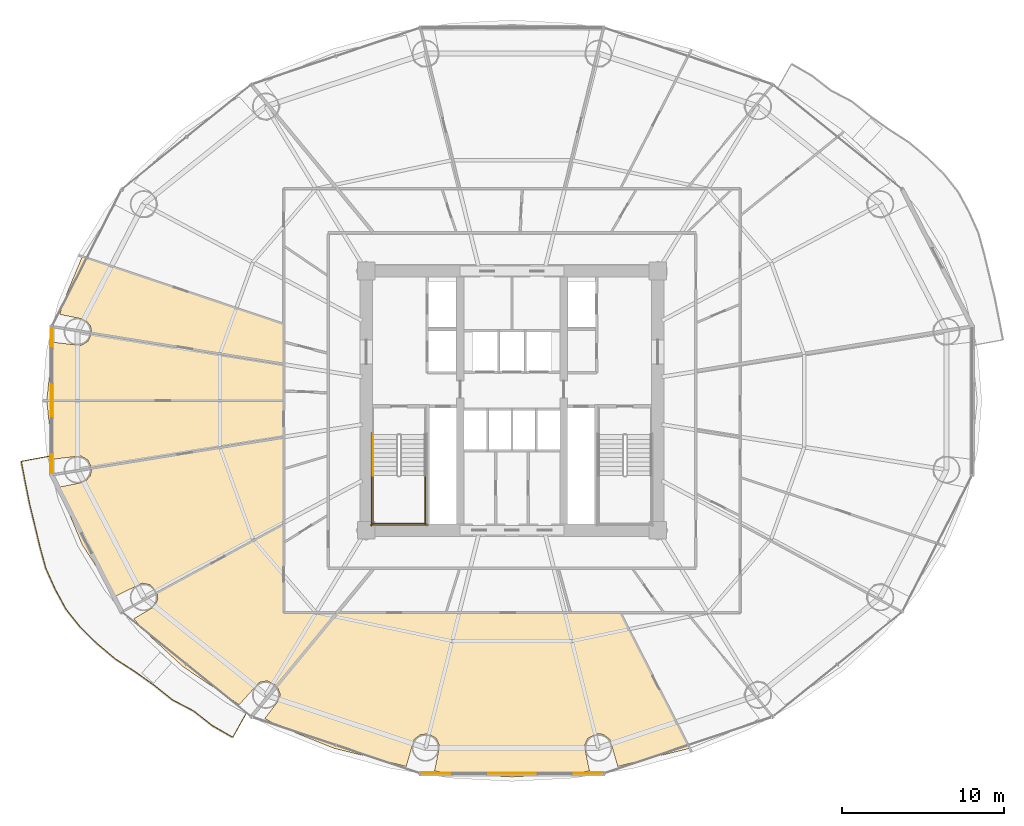
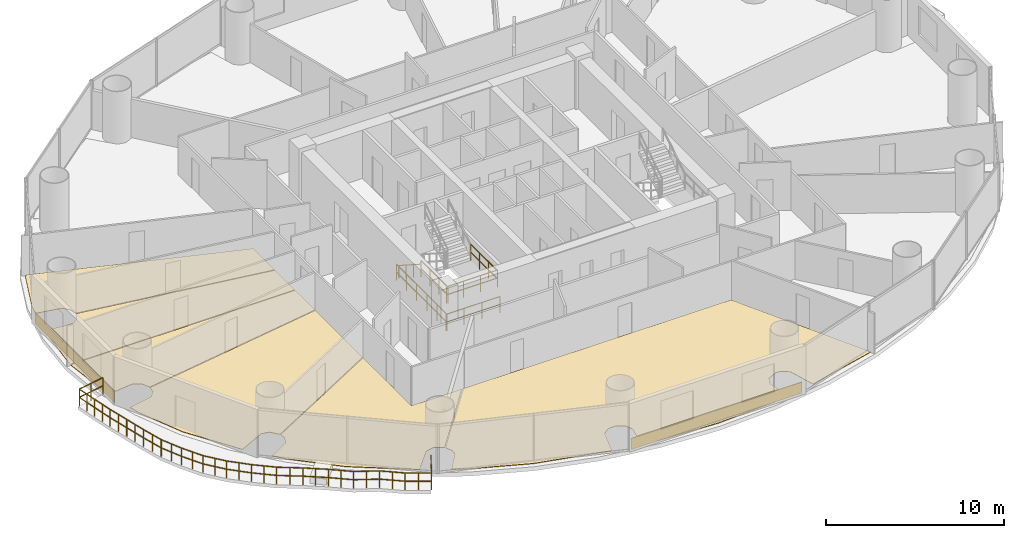
# One storey, part 25 of 28: 8 coverings, 7 railings.
"""IFC4 building model written with IfcOpenShell, lengths in metres."""

import ifcopenshell
import ifcopenshell.guid

model = None  # the IFC model being written
_history = None  # IfcOwnerHistory: only IFC2X3 demands one
_inside = {}  # id of a spatial element -> (the spatial element, [elements in it])
_under = {}  # id of a project, library or spatial element -> (it, [spatial elements below it])
_declared = {}  # id of a project -> (the project, [libraries it declares])
_typed = {}  # id of a type object -> (the type object, [elements of that type])
_made_of = {}  # id of a material, layer set ... -> (it, [elements and type objects made of it])


def new_model(schema):
    """Start an empty IFC model of exactly this schema.

    Asked for "IFC4X3", IfcOpenShell would pick the latest addendum, in which some entities
    have other attributes; the version numbers below select the first issue.
    IFC2X3 requires an IfcOwnerHistory on every rooted entity: one is made here for all.
    """
    global model, _history
    if schema == "IFC4X3":
        model = ifcopenshell.file(schema_version=(4, 3, 0, 0))
    else:
        model = ifcopenshell.file(schema=schema)
    _inside.clear()
    _under.clear()
    _declared.clear()
    _typed.clear()
    _made_of.clear()
    _history = None
    if model.schema == "IFC2X3":
        org = make("IfcOrganization", Name="unknown")
        user = make(
            "IfcPersonAndOrganization",
            ThePerson=make("IfcPerson", FamilyName="unknown"),
            TheOrganization=org,
        )
        app = make(
            "IfcApplication",
            ApplicationDeveloper=org,
            Version="unknown",
            ApplicationFullName="unknown",
            ApplicationIdentifier="unknown",
        )
        _history = make(
            "IfcOwnerHistory",
            OwningUser=user,
            OwningApplication=app,
            ChangeAction="ADDED",
            CreationDate=0,
        )
    return model


def make(cls, **values):
    """One entity of the class cls with the attributes given. An attribute that is None is left unset."""
    return model.create_entity(
        cls, **{name: value for name, value in values.items() if value is not None}
    )


def rooted(cls, **values):
    """An entity with a GlobalId (a new one), such as an element, a storey or a relation."""
    return make(cls, GlobalId=ifcopenshell.guid.new(), OwnerHistory=_history, **values)


def si_unit(unit_type, name, prefix=None):
    """IfcSIUnit, for example si_unit("LENGTHUNIT", "METRE", prefix="MILLI")."""
    return make("IfcSIUnit", UnitType=unit_type, Prefix=prefix, Name=name)


def assignment(units):
    """IfcUnitAssignment: the units of a project."""
    return None if units is None else make("IfcUnitAssignment", Units=units)


def point(xyz):
    """IfcCartesianPoint."""
    return None if xyz is None else make("IfcCartesianPoint", Coordinates=xyz)


def direction(xyz):
    """IfcDirection."""
    return None if xyz is None else make("IfcDirection", DirectionRatios=xyz)


def frame(location, z_axis=None, x_axis=None):
    """IfcAxis2Placement3D, a coordinate frame: its origin and axes. An axis left out is left unset."""
    return make(
        "IfcAxis2Placement3D",
        Location=point(location),
        Axis=direction(z_axis),
        RefDirection=direction(x_axis),
    )


def frame_2d(location, x_axis=None):
    """IfcAxis2Placement2D, a coordinate frame in the plane: its origin and x axis."""
    return make(
        "IfcAxis2Placement2D", Location=point(location), RefDirection=direction(x_axis)
    )


def origin():
    """The frame at (0, 0, 0) with its axes left unset."""
    return frame((0.0, 0.0, 0.0))


def origin_2d():
    """The frame at (0, 0) in the plane with its x axis left unset."""
    return frame_2d((0.0, 0.0))


def place(relative_to, where):
    """IfcLocalPlacement: puts the frame where relative to a parent placement (None: the world)."""
    return make(
        "IfcLocalPlacement", PlacementRelTo=relative_to, RelativePlacement=where
    )


def context(
    kind, dimensions, precision=None, world=None, true_north=None, identifier=None
):
    """IfcGeometricRepresentationContext, for example the 3D "Model" context."""
    return make(
        "IfcGeometricRepresentationContext",
        ContextIdentifier=identifier,
        ContextType=kind,
        CoordinateSpaceDimension=dimensions,
        Precision=precision,
        WorldCoordinateSystem=world,
        TrueNorth=true_north,
    )


def subcontext(parent, identifier, kind, view, scale=None):
    """IfcGeometricRepresentationSubContext, for example "Body" below "Model"."""
    return make(
        "IfcGeometricRepresentationSubContext",
        ContextIdentifier=identifier,
        ContextType=kind,
        ParentContext=parent,
        TargetScale=scale,
        TargetView=view,
    )


def project(units=None, contexts=None):
    """IfcProject with its units and contexts."""
    return rooted(
        "IfcProject",
        Name="project",
        RepresentationContexts=contexts,
        UnitsInContext=assignment(units),
    )


def spatial(cls, under=None, at=None, **own):
    """A site, building, storey or space (cls), placed at a placement, below another one or the project."""
    s = rooted(cls, ObjectPlacement=at, **own)
    if under is not None:
        _under.setdefault(under.id(), (under, []))[1].append(s)
    return s


def polyline(points):
    """IfcPolyline through the points."""
    return make("IfcPolyline", Points=[point(p) for p in points])


def profile(cls, at=None, kind="AREA", **sizes):
    """A parametric profile (cls). Its sizes go by their IFC names, for example OverallWidth=200.0."""
    return make(cls, ProfileType=kind, Position=at, **sizes)


def rectangle(**sizes):
    """IfcRectangleProfileDef."""
    return profile("IfcRectangleProfileDef", **sizes)


def outline(outer, holes=None, kind="AREA"):
    """IfcArbitraryClosedProfileDef: a profile drawn as a closed curve; with holes, ...WithVoids."""
    if holes is None:
        return make("IfcArbitraryClosedProfileDef", ProfileType=kind, OuterCurve=outer)
    return make(
        "IfcArbitraryProfileDefWithVoids",
        ProfileType=kind,
        OuterCurve=outer,
        InnerCurves=holes,
    )


def extrude(swept, where, along, depth):
    """IfcExtrudedAreaSolid: the profile swept, set in the frame where, extruded along a direction by depth."""
    return make(
        "IfcExtrudedAreaSolid",
        SweptArea=swept,
        Position=where,
        ExtrudedDirection=direction(along),
        Depth=depth,
    )


def shape(context_of_items, identifier, shape_type, items):
    """IfcShapeRepresentation: the items that make up one representation, for example the "Body"."""
    return make(
        "IfcShapeRepresentation",
        ContextOfItems=context_of_items,
        RepresentationIdentifier=identifier,
        RepresentationType=shape_type,
        Items=items,
    )


def source(mapping_origin, context_of_items, identifier, shape_type, items):
    """IfcRepresentationMap: a shape defined once, which mapped items show again and again."""
    return make(
        "IfcRepresentationMap",
        MappingOrigin=mapping_origin,
        MappedRepresentation=shape(context_of_items, identifier, shape_type, items),
    )


def transform(
    local_origin,
    x_axis=None,
    y_axis=None,
    z_axis=None,
    scale=None,
    scale2=None,
    scale3=None,
    uniform=True,
):
    """IfcCartesianTransformationOperator3D, or its non-uniform kind. x_axis, y_axis, z_axis: its Axis1, 2, 3."""
    if uniform:
        return make(
            "IfcCartesianTransformationOperator3D",
            Axis1=direction(x_axis),
            Axis2=direction(y_axis),
            LocalOrigin=point(local_origin),
            Scale=scale,
            Axis3=direction(z_axis),
        )
    return make(
        "IfcCartesianTransformationOperator3DnonUniform",
        Axis1=direction(x_axis),
        Axis2=direction(y_axis),
        LocalOrigin=point(local_origin),
        Scale=scale,
        Axis3=direction(z_axis),
        Scale2=scale2,
        Scale3=scale3,
    )


def mapped(mapping_source, mapping_target):
    """IfcMappedItem: shows the shape of a source again, moved by a transform."""
    return make(
        "IfcMappedItem", MappingSource=mapping_source, MappingTarget=mapping_target
    )


def material(Name=None, Category=None):
    """IfcMaterial."""
    return make("IfcMaterial", Name=Name, Category=Category)


def layer(
    of_material, thickness, ventilated=None, Name=None, Category=None, Priority=None
):
    """IfcMaterialLayer: one layer of a wall or slab, of a material (None: an air gap)."""
    return make(
        "IfcMaterialLayer",
        Material=of_material,
        LayerThickness=thickness,
        IsVentilated=ventilated,
        Name=Name,
        Category=Category,
        Priority=Priority,
    )


def layer_set(layers, Name=None):
    """IfcMaterialLayerSet."""
    return make("IfcMaterialLayerSet", MaterialLayers=layers, LayerSetName=Name)


def made_of(thing, what):
    """Note that an element or type object is made of a material, layer set ...; save() writes the relation."""
    if what is not None:
        _made_of.setdefault(what.id(), (what, []))[1].append(thing)
    return thing


def type_object(cls, material=None, **own):
    """A type object (cls), such as IfcWallType, which elements share."""
    return made_of(rooted(cls, **own), material)


def element(
    cls,
    number,
    at=None,
    inside=None,
    cuts=None,
    type_object=None,
    material=None,
    context=None,
    identifier="Body",
    shape_type=None,
    held_by="IfcProductDefinitionShape",
    body=None,
    shapes=None,
    **own,
):
    """One element of the class cls, such as IfcWall. Its Tag is "e" and its number.

    at: its placement. inside: the storey or other place that contains it. cuts: it is an
    opening in that element (IfcRelVoidsElement). A single representation is given by context,
    identifier, shape_type and body (its items); several are given by shapes. held_by: the class
    of the entity that holds the representations. save() writes the other relations.
    """
    e = rooted(cls, Tag="e%d" % number, ObjectPlacement=at, **own)
    if body is not None:
        shapes = [shape(context, identifier, shape_type, body)]
    if shapes is not None:
        e.Representation = make(held_by, Representations=shapes)
    if inside is not None:
        _inside.setdefault(inside.id(), (inside, []))[1].append(e)
    if cuts is not None:
        rooted(
            "IfcRelVoidsElement", RelatingBuildingElement=cuts, RelatedOpeningElement=e
        )
    if type_object is not None:
        _typed.setdefault(type_object.id(), (type_object, []))[1].append(e)
    return made_of(e, material)


def aggregate(whole, parts):
    """IfcRelAggregates: a whole, such as a stair, and the parts it consists of."""
    return rooted("IfcRelAggregates", RelatingObject=whole, RelatedObjects=parts)


def save(model, path):
    """Write the relations noted so far, then the file.

    IfcRelAggregates (storeys below a building ...), IfcRelContainedInSpatialStructure (elements
    in a storey), IfcRelDefinesByType, IfcRelAssociatesMaterial and IfcRelDeclares: one each for
    every whole, place, type object, material and project.
    """
    for whole, parts in _under.values():
        aggregate(whole, parts)
    for where, things in _inside.values():
        rooted(
            "IfcRelContainedInSpatialStructure",
            RelatedElements=things,
            RelatingStructure=where,
        )
    for kind, things in _typed.values():
        rooted("IfcRelDefinesByType", RelatedObjects=things, RelatingType=kind)
    for what, things in _made_of.values():
        rooted("IfcRelAssociatesMaterial", RelatedObjects=things, RelatingMaterial=what)
    for by, libraries in _declared.values():
        rooted("IfcRelDeclares", RelatingContext=by, RelatedDefinitions=libraries)
    model.write(path)


model = new_model("IFC4")

# Units and contexts
model_context = context("Model", 3, precision=1e-05, world=origin(), true_north=direction((-0.2419218956, 0.970295726276)))
body_context = subcontext(model_context, "Body", "Model", "MODEL_VIEW")
ifc_project = project(units=[si_unit("LENGTHUNIT", "METRE"), si_unit("AREAUNIT", "SQUARE_METRE"), si_unit("VOLUMEUNIT", "CUBIC_METRE"), si_unit("PLANEANGLEUNIT", "RADIAN"), si_unit("MASSUNIT", "GRAM", prefix="KILO")], contexts=[model_context])

# Site, building, storey
site_placement = place(None, origin())
site = spatial("IfcSite", under=ifc_project, at=site_placement, CompositionType="ELEMENT")
building_placement = place(site_placement, origin())
building = spatial("IfcBuilding", under=site, at=building_placement, Name="Cobrevalo Terracotta Tower", CompositionType="ELEMENT")
storey_placement = place(building_placement, frame((0.0, 0.0, 38.39990234375)))
storey = spatial("IfcBuildingStorey", under=building, at=storey_placement, Name="L09", CompositionType="ELEMENT", Elevation=38.39990234375)

# Railing
ifc_material_1 = material(Name="Laminated structural glass and stainless steel", Category="steel")
railing_type_1 = type_object("IfcRailingType", Name="Balcony lobe structural glass & terracotta-cap balustrade 1180 mm", PredefinedType="BALUSTRADE", material=ifc_material_1)
railing_1_placement = place(storey_placement, frame((9.42822265625, 23.3740234375, 0.0)))
element("IfcRailing", 1, at=railing_1_placement, inside=storey, type_object=railing_type_1, Name="L09 spiralling balcony lobe balustrade 2", PredefinedType="BALUSTRADE", context=body_context, shape_type="SweptSolid", body=[
    extrude(rectangle(XDim=0.048095703125, YDim=0.048095703125, at=origin_2d()), frame((0.0, 0.0, 1.15576171875), z_axis=(-0.983760217296, -0.179487701154, 0.0), x_axis=(0.179487701154, -0.983760217296, 0.0)), (0.0, 0.0, 1.0), 1.747802734375),
    extrude(rectangle(XDim=0.048095703125, YDim=0.048095703125, at=origin_2d()), frame((0.0, 0.0, 0.58984375), z_axis=(-0.983760217296, -0.179487701154, 0.0), x_axis=(0.179487701154, -0.983760217296, 0.0)), (0.0, 0.0, 1.0), 1.747802734375),
    extrude(rectangle(XDim=0.048095703125, YDim=0.048095703125, at=origin_2d()), frame((-1.719482421875, -0.313720703125, 1.15576171875), z_axis=(0.188477651526, -0.982077479059, 0.0), x_axis=(0.982077479059, 0.188477651526, 0.0)), (0.0, 0.0, 1.0), 1.322509765625),
    extrude(rectangle(XDim=0.048095703125, YDim=0.048095703125, at=origin_2d()), frame((-1.719482421875, -0.313720703125, 0.58984375), z_axis=(0.188477651526, -0.982077479059, 0.0), x_axis=(0.982077479059, 0.188477651526, 0.0)), (0.0, 0.0, 1.0), 1.322509765625),
    extrude(rectangle(XDim=0.048095703125, YDim=0.048095703125, at=origin_2d()), frame((-1.47021484375, -1.612548828125, 1.15576171875), z_axis=(0.195126692392, -0.980778045185, 0.0), x_axis=(0.980778045185, 0.195126692392, 0.0)), (0.0, 0.0, 1.0), 1.328857421875),
    extrude(rectangle(XDim=0.048095703125, YDim=0.048095703125, at=origin_2d()), frame((-1.47021484375, -1.612548828125, 0.58984375), z_axis=(0.195126692392, -0.980778045185, 0.0), x_axis=(0.980778045185, 0.195126692392, 0.0)), (0.0, 0.0, 1.0), 1.328857421875),
    extrude(rectangle(XDim=0.048095703125, YDim=0.048095703125, at=origin_2d()), frame((-1.2109375, -2.915771484375, 1.15576171875), z_axis=(0.237039489743, -0.971500015596, 0.0), x_axis=(0.971500015596, 0.237039489743, 0.0)), (0.0, 0.0, 1.0), 1.349365234375),
    extrude(rectangle(XDim=0.048095703125, YDim=0.048095703125, at=origin_2d()), frame((-1.2109375, -2.915771484375, 0.58984375), z_axis=(0.237039489743, -0.971500015596, 0.0), x_axis=(0.971500015596, 0.237039489743, 0.0)), (0.0, 0.0, 1.0), 1.349365234375),
    extrude(rectangle(XDim=0.048095703125, YDim=0.048095703125, at=origin_2d()), frame((-0.89111328125, -4.2265625, 1.15576171875), z_axis=(0.231604568382, -0.972810014291, 0.0), x_axis=(0.972810014291, 0.231604568382, 0.0)), (0.0, 0.0, 1.0), 1.37890625),
    extrude(rectangle(XDim=0.048095703125, YDim=0.048095703125, at=origin_2d()), frame((-0.89111328125, -4.2265625, 0.58984375), z_axis=(0.231604568382, -0.972810014291, 0.0), x_axis=(0.972810014291, 0.231604568382, 0.0)), (0.0, 0.0, 1.0), 1.37890625),
    extrude(rectangle(XDim=0.048095703125, YDim=0.048095703125, at=origin_2d()), frame((-0.57177734375, -5.56787109375, 1.15576171875), z_axis=(0.263899532067, -0.964550173384, 0.0), x_axis=(0.964550173384, 0.263899532067, 0.0)), (0.0, 0.0, 1.0), 1.399658203125),
    extrude(rectangle(XDim=0.048095703125, YDim=0.048095703125, at=origin_2d()), frame((-0.57177734375, -5.56787109375, 0.58984375), z_axis=(0.263899532067, -0.964550173384, 0.0), x_axis=(0.964550173384, 0.263899532067, 0.0)), (0.0, 0.0, 1.0), 1.399658203125),
    extrude(rectangle(XDim=0.048095703125, YDim=0.048095703125, at=origin_2d()), frame((-0.202392578125, -6.91796875, 1.15576171875), z_axis=(0.407995158964, -0.912984090914, 0.0), x_axis=(0.912984090914, 0.407995158964, 0.0)), (0.0, 0.0, 1.0), 1.41455078125),
    extrude(rectangle(XDim=0.048095703125, YDim=0.048095703125, at=origin_2d()), frame((-0.202392578125, -6.91796875, 0.58984375), z_axis=(0.407995158964, -0.912984090914, 0.0), x_axis=(0.912984090914, 0.407995158964, 0.0)), (0.0, 0.0, 1.0), 1.41455078125),
    extrude(rectangle(XDim=0.048095703125, YDim=0.048095703125, at=origin_2d()), frame((0.374755859375, -8.20947265625, 1.15576171875), z_axis=(0.476738219106, -0.879045317628, 0.0), x_axis=(0.879045317628, 0.476738219106, 0.0)), (0.0, 0.0, 1.0), 1.4169921875),
    extrude(rectangle(XDim=0.048095703125, YDim=0.048095703125, at=origin_2d()), frame((0.374755859375, -8.20947265625, 0.58984375), z_axis=(0.476738219106, -0.879045317628, 0.0), x_axis=(0.879045317628, 0.476738219106, 0.0)), (0.0, 0.0, 1.0), 1.4169921875),
    extrude(rectangle(XDim=0.048095703125, YDim=0.048095703125, at=origin_2d()), frame((1.05029296875, -9.455078125, 1.15576171875), z_axis=(0.622487956362, -0.78262937856, 0.0), x_axis=(0.78262937856, 0.622487956362, 0.0)), (0.0, 0.0, 1.0), 1.431640625),
    extrude(rectangle(XDim=0.048095703125, YDim=0.048095703125, at=origin_2d()), frame((1.05029296875, -9.455078125, 0.58984375), z_axis=(0.622487956362, -0.78262937856, 0.0), x_axis=(0.78262937856, 0.622487956362, 0.0)), (0.0, 0.0, 1.0), 1.431640625),
    extrude(rectangle(XDim=0.048095703125, YDim=0.048095703125, at=origin_2d()), frame((1.94140625, -10.575439453125, 1.15576171875), z_axis=(0.716500062262, -0.697587027387, 0.0), x_axis=(0.697587027387, 0.716500062262, 0.0)), (0.0, 0.0, 1.0), 1.44580078125),
    extrude(rectangle(XDim=0.048095703125, YDim=0.048095703125, at=origin_2d()), frame((1.94140625, -10.575439453125, 0.58984375), z_axis=(0.716500062262, -0.697587027387, 0.0), x_axis=(0.697587027387, 0.716500062262, 0.0)), (0.0, 0.0, 1.0), 1.44580078125),
    extrude(rectangle(XDim=0.048095703125, YDim=0.048095703125, at=origin_2d()), frame((2.977294921875, -11.583984375, 1.15576171875), z_axis=(0.764840704707, -0.644219447412, 0.0), x_axis=(0.644219447412, 0.764840704707, 0.0)), (0.0, 0.0, 1.0), 1.43701171875),
    extrude(rectangle(XDim=0.048095703125, YDim=0.048095703125, at=origin_2d()), frame((2.977294921875, -11.583984375, 0.58984375), z_axis=(0.764840704707, -0.644219447412, 0.0), x_axis=(0.644219447412, 0.764840704707, 0.0)), (0.0, 0.0, 1.0), 1.43701171875),
    extrude(rectangle(XDim=0.048095703125, YDim=0.048095703125, at=origin_2d()), frame((4.076416015625, -12.509765625, 1.15576171875), z_axis=(0.840710079166, -0.541485514846, 0.0), x_axis=(0.541485514846, 0.840710079166, 0.0)), (0.0, 0.0, 1.0), 1.474365234375),
    extrude(rectangle(XDim=0.048095703125, YDim=0.048095703125, at=origin_2d()), frame((4.076416015625, -12.509765625, 0.58984375), z_axis=(0.840710079166, -0.541485514846, 0.0), x_axis=(0.541485514846, 0.840710079166, 0.0)), (0.0, 0.0, 1.0), 1.474365234375),
    extrude(rectangle(XDim=0.048095703125, YDim=0.048095703125, at=origin_2d()), frame((5.31591796875, -13.30810546875, 1.15576171875), z_axis=(0.814764621274, -0.579791869484, 0.0), x_axis=(0.579791869484, 0.814764621274, 0.0)), (0.0, 0.0, 1.0), 1.43798828125),
    extrude(rectangle(XDim=0.048095703125, YDim=0.048095703125, at=origin_2d()), frame((5.31591796875, -13.30810546875, 0.58984375), z_axis=(0.814764621274, -0.579791869484, 0.0), x_axis=(0.579791869484, 0.814764621274, 0.0)), (0.0, 0.0, 1.0), 1.43798828125),
    extrude(rectangle(XDim=0.048095703125, YDim=0.048095703125, at=origin_2d()), frame((6.487548828125, -14.141845703125, 1.15576171875), z_axis=(0.780951528321, -0.62459163492, 0.0), x_axis=(0.62459163492, 0.780951528321, 0.0)), (0.0, 0.0, 1.0), 1.439697265625),
    extrude(rectangle(XDim=0.048095703125, YDim=0.048095703125, at=origin_2d()), frame((6.487548828125, -14.141845703125, 0.58984375), z_axis=(0.780951528321, -0.62459163492, 0.0), x_axis=(0.62459163492, 0.780951528321, 0.0)), (0.0, 0.0, 1.0), 1.439697265625),
    extrude(rectangle(XDim=0.048095703125, YDim=0.048095703125, at=origin_2d()), frame((7.61181640625, -15.041015625, 1.15576171875), z_axis=(0.88633866398, -0.463037550025, 0.0), x_axis=(0.463037550025, 0.88633866398, 0.0)), (0.0, 0.0, 1.0), 1.468505859375),
    extrude(rectangle(XDim=0.048095703125, YDim=0.048095703125, at=origin_2d()), frame((7.61181640625, -15.041015625, 0.58984375), z_axis=(0.88633866398, -0.463037550025, 0.0), x_axis=(0.463037550025, 0.88633866398, 0.0)), (0.0, 0.0, 1.0), 1.468505859375),
    extrude(rectangle(XDim=0.048095703125, YDim=0.048095703125, at=origin_2d()), frame((8.913330078125, -15.720947265625, 1.15576171875), z_axis=(0.786773341304, -0.617242018509, 0.0), x_axis=(0.617242018509, 0.786773341304, 0.0)), (0.0, 0.0, 1.0), 1.45166015625),
    extrude(rectangle(XDim=0.048095703125, YDim=0.048095703125, at=origin_2d()), frame((8.913330078125, -15.720947265625, 0.58984375), z_axis=(0.786773341304, -0.617242018509, 0.0), x_axis=(0.617242018509, 0.786773341304, 0.0)), (0.0, 0.0, 1.0), 1.45166015625),
    extrude(rectangle(XDim=0.048095703125, YDim=0.048095703125, at=origin_2d()), frame((10.055419921875, -16.616943359375, 1.15576171875), z_axis=(0.866799467152, -0.498656879772, 0.0), x_axis=(0.498656879772, 0.866799467152, 0.0)), (0.0, 0.0, 1.0), 1.4814453125),
    extrude(rectangle(XDim=0.048095703125, YDim=0.048095703125, at=origin_2d()), frame((10.055419921875, -16.616943359375, 0.58984375), z_axis=(0.866799467152, -0.498656879772, 0.0), x_axis=(0.498656879772, 0.866799467152, 0.0)), (0.0, 0.0, 1.0), 1.4814453125),
    extrude(rectangle(XDim=0.048095703125, YDim=0.048095703125, at=origin_2d()), frame((11.339599609375, -17.355712890625, 1.15576171875), z_axis=(0.488115415014, 0.872779090965, 0.0), x_axis=(-0.872779090965, 0.488115415014, 0.0)), (0.0, 0.0, 1.0), 1.767578125),
    extrude(rectangle(XDim=0.048095703125, YDim=0.048095703125, at=origin_2d()), frame((11.339599609375, -17.355712890625, 0.58984375), z_axis=(0.488115415014, 0.872779090965, 0.0), x_axis=(-0.872779090965, 0.488115415014, 0.0)), (0.0, 0.0, 1.0), 1.767578125),
    extrude(rectangle(XDim=0.0419921875, YDim=0.0419921875, at=origin_2d()), origin(), (0.0, 0.0, 1.0), 1.1318359375),
    extrude(rectangle(XDim=0.0419921875, YDim=0.0419921875, at=origin_2d()), frame((-0.85986328125, -0.15673828125, 0.0)), (0.0, 0.0, 1.0), 1.1318359375),
    extrude(rectangle(XDim=0.0419921875, YDim=0.0419921875, at=origin_2d()), frame((-1.719482421875, -0.313720703125, 0.0)), (0.0, 0.0, 1.0), 1.1318359375),
    extrude(rectangle(XDim=0.0419921875, YDim=0.0419921875, at=origin_2d()), frame((-1.5947265625, -0.963134765625, 0.0)), (0.0, 0.0, 1.0), 1.1318359375),
    extrude(rectangle(XDim=0.0419921875, YDim=0.0419921875, at=origin_2d()), frame((-1.47021484375, -1.612548828125, 0.0)), (0.0, 0.0, 1.0), 1.1318359375),
    extrude(rectangle(XDim=0.0419921875, YDim=0.0419921875, at=origin_2d()), frame((-1.340576171875, -2.26416015625, 0.0)), (0.0, 0.0, 1.0), 1.1318359375),
    extrude(rectangle(XDim=0.0419921875, YDim=0.0419921875, at=origin_2d()), frame((-1.2109375, -2.915771484375, 0.0)), (0.0, 0.0, 1.0), 1.1318359375),
    extrude(rectangle(XDim=0.0419921875, YDim=0.0419921875, at=origin_2d()), frame((-1.051025390625, -3.5712890625, 0.0)), (0.0, 0.0, 1.0), 1.1318359375),
    extrude(rectangle(XDim=0.0419921875, YDim=0.0419921875, at=origin_2d()), frame((-0.89111328125, -4.2265625, 0.0)), (0.0, 0.0, 1.0), 1.1318359375),
    extrude(rectangle(XDim=0.0419921875, YDim=0.0419921875, at=origin_2d()), frame((-0.7314453125, -4.897216796875, 0.0)), (0.0, 0.0, 1.0), 1.1318359375),
    extrude(rectangle(XDim=0.0419921875, YDim=0.0419921875, at=origin_2d()), frame((-0.57177734375, -5.56787109375, 0.0)), (0.0, 0.0, 1.0), 1.1318359375),
    extrude(rectangle(XDim=0.0419921875, YDim=0.0419921875, at=origin_2d()), frame((-0.38720703125, -6.242919921875, 0.0)), (0.0, 0.0, 1.0), 1.1318359375),
    extrude(rectangle(XDim=0.0419921875, YDim=0.0419921875, at=origin_2d()), frame((-0.202392578125, -6.91796875, 0.0)), (0.0, 0.0, 1.0), 1.1318359375),
    extrude(rectangle(XDim=0.0419921875, YDim=0.0419921875, at=origin_2d()), frame((0.086181640625, -7.563720703125, 0.0)), (0.0, 0.0, 1.0), 1.1318359375),
    extrude(rectangle(XDim=0.0419921875, YDim=0.0419921875, at=origin_2d()), frame((0.374755859375, -8.20947265625, 0.0)), (0.0, 0.0, 1.0), 1.1318359375),
    extrude(rectangle(XDim=0.0419921875, YDim=0.0419921875, at=origin_2d()), frame((0.71240234375, -8.832275390625, 0.0)), (0.0, 0.0, 1.0), 1.1318359375),
    extrude(rectangle(XDim=0.0419921875, YDim=0.0419921875, at=origin_2d()), frame((1.05029296875, -9.455078125, 0.0)), (0.0, 0.0, 1.0), 1.1318359375),
    extrude(rectangle(XDim=0.0419921875, YDim=0.0419921875, at=origin_2d()), frame((1.495849609375, -10.01513671875, 0.0)), (0.0, 0.0, 1.0), 1.1318359375),
    extrude(rectangle(XDim=0.0419921875, YDim=0.0419921875, at=origin_2d()), frame((1.94140625, -10.575439453125, 0.0)), (0.0, 0.0, 1.0), 1.1318359375),
    extrude(rectangle(XDim=0.0419921875, YDim=0.0419921875, at=origin_2d()), frame((2.45947265625, -11.07958984375, 0.0)), (0.0, 0.0, 1.0), 1.1318359375),
    extrude(rectangle(XDim=0.0419921875, YDim=0.0419921875, at=origin_2d()), frame((2.977294921875, -11.583984375, 0.0)), (0.0, 0.0, 1.0), 1.1318359375),
    extrude(rectangle(XDim=0.0419921875, YDim=0.0419921875, at=origin_2d()), frame((3.52685546875, -12.046875, 0.0)), (0.0, 0.0, 1.0), 1.1318359375),
    extrude(rectangle(XDim=0.0419921875, YDim=0.0419921875, at=origin_2d()), frame((4.076416015625, -12.509765625, 0.0)), (0.0, 0.0, 1.0), 1.1318359375),
    extrude(rectangle(XDim=0.0419921875, YDim=0.0419921875, at=origin_2d()), frame((4.6962890625, -12.908935546875, 0.0)), (0.0, 0.0, 1.0), 1.1318359375),
    extrude(rectangle(XDim=0.0419921875, YDim=0.0419921875, at=origin_2d()), frame((5.31591796875, -13.30810546875, 0.0)), (0.0, 0.0, 1.0), 1.1318359375),
    extrude(rectangle(XDim=0.0419921875, YDim=0.0419921875, at=origin_2d()), frame((5.90185546875, -13.72509765625, 0.0)), (0.0, 0.0, 1.0), 1.1318359375),
    extrude(rectangle(XDim=0.0419921875, YDim=0.0419921875, at=origin_2d()), frame((6.487548828125, -14.141845703125, 0.0)), (0.0, 0.0, 1.0), 1.1318359375),
    extrude(rectangle(XDim=0.0419921875, YDim=0.0419921875, at=origin_2d()), frame((7.0498046875, -14.59130859375, 0.0)), (0.0, 0.0, 1.0), 1.1318359375),
    extrude(rectangle(XDim=0.0419921875, YDim=0.0419921875, at=origin_2d()), frame((7.61181640625, -15.041015625, 0.0)), (0.0, 0.0, 1.0), 1.1318359375),
    extrude(rectangle(XDim=0.0419921875, YDim=0.0419921875, at=origin_2d()), frame((8.2626953125, -15.380859375, 0.0)), (0.0, 0.0, 1.0), 1.1318359375),
    extrude(rectangle(XDim=0.0419921875, YDim=0.0419921875, at=origin_2d()), frame((8.913330078125, -15.720947265625, 0.0)), (0.0, 0.0, 1.0), 1.1318359375),
    extrude(rectangle(XDim=0.0419921875, YDim=0.0419921875, at=origin_2d()), frame((9.484375, -16.1689453125, 0.0)), (0.0, 0.0, 1.0), 1.1318359375),
    extrude(rectangle(XDim=0.0419921875, YDim=0.0419921875, at=origin_2d()), frame((10.055419921875, -16.616943359375, 0.0)), (0.0, 0.0, 1.0), 1.1318359375),
    extrude(rectangle(XDim=0.0419921875, YDim=0.0419921875, at=origin_2d()), frame((10.697509765625, -16.986328125, 0.0)), (0.0, 0.0, 1.0), 1.1318359375),
    extrude(rectangle(XDim=0.0419921875, YDim=0.0419921875, at=origin_2d()), frame((11.339599609375, -17.355712890625, 0.0)), (0.0, 0.0, 1.0), 1.1318359375),
    extrude(rectangle(XDim=0.0419921875, YDim=0.0419921875, at=origin_2d()), frame((11.77099609375, -16.58447265625, 0.0)), (0.0, 0.0, 1.0), 1.1318359375),
    extrude(rectangle(XDim=0.0419921875, YDim=0.0419921875, at=origin_2d()), frame((12.202392578125, -15.81298828125, 0.0)), (0.0, 0.0, 1.0), 1.1318359375),
])

# Coverings
ifc_material_2 = material(Name="Engineered Brazilian hardwood flooring", Category="wood")
ifc_layer_1 = layer(ifc_material_2, 0.028076171875)
ifc_layer_set_1 = layer_set([ifc_layer_1], Name="Engineered Brazilian hardwood flooring")
covering_type_1 = type_object("IfcCoveringType", Name="Engineered Hardwood Suite Flooring 28", PredefinedType="FLOORING", material=ifc_layer_set_1)
covering_1_placement = place(storey_placement, origin())
element("IfcCovering", 2, at=covering_1_placement, inside=storey, type_object=covering_type_1, Name="Flat L09B Master Bedroom floor finish", PredefinedType="FLOORING", context=body_context, shape_type="SweptSolid", body=[
    extrude(outline(polyline([(11.468505859375, 35.684326171875), (23.89501953125, 31.513427734375), (23.89501953125, 29.09375), (12.04931640625, 31.003173828125), (11.974853515625, 31.4306640625), (11.6357421875, 31.81298828125), (10.090576171875, 32.126220703125), (10.25830078125, 32.80859375), (11.468505859375, 35.684326171875)])), origin(), (0.0, 0.0, 1.0), 0.030029296875),
])
covering_2_placement = place(storey_placement, origin())
element("IfcCovering", 3, at=covering_2_placement, inside=storey, type_object=covering_type_1, Name="Flat L09B Principal Guest Bedroom floor finish", PredefinedType="FLOORING", context=body_context, shape_type="SweptSolid", body=[
    extrude(outline(polyline([(9.668701171875, 30.4111328125), (11.380615234375, 30.206787109375), (11.821533203125, 30.465087890625), (12.047119140625, 30.963134765625), (23.89501953125, 29.05322265625), (23.89501953125, 26.820068359375), (9.28173828125, 26.820068359375), (9.668701171875, 30.4111328125)])), origin(), (0.0, 0.0, 1.0), 0.030029296875),
])
covering_3_placement = place(storey_placement, origin())
element("IfcCovering", 4, at=covering_3_placement, inside=storey, type_object=covering_type_1, Name="Flat L09B Principal Guest Bedroom floor finish", PredefinedType="FLOORING", context=body_context, shape_type="SweptSolid", body=[
    extrude(outline(polyline([(9.28173828125, 26.780029296875), (23.89501953125, 26.780029296875), (23.89501953125, 24.546630859375), (12.047119140625, 22.636962890625), (11.821533203125, 23.135009765625), (11.380615234375, 23.39306640625), (9.668701171875, 23.18896484375), (9.28173828125, 26.780029296875)])), origin(), (0.0, 0.0, 1.0), 0.030029296875),
])
covering_4_placement = place(storey_placement, origin())
element("IfcCovering", 5, at=covering_4_placement, inside=storey, type_object=covering_type_1, Name="Flat L09B Penthouse Family Lounge floor finish", PredefinedType="FLOORING", context=body_context, shape_type="SweptSolid", body=[
    extrude(outline(polyline([(11.465576171875, 17.91552734375), (10.25830078125, 20.791259765625), (10.090576171875, 21.473876953125), (11.6357421875, 21.787109375), (11.974853515625, 22.169189453125), (12.04931640625, 22.596923828125), (23.89501953125, 24.506103515625), (23.89501953125, 19.185546875), (16.084716796875, 14.95654296875), (15.674560546875, 15.436767578125), (15.173583984375, 15.53662109375), (13.511962890625, 14.7255859375), (11.465576171875, 17.91552734375)])), origin(), (0.0, 0.0, 1.0), 0.030029296875),
])
covering_5_placement = place(storey_placement, origin())
element("IfcCovering", 6, at=covering_5_placement, inside=storey, type_object=covering_type_1, Name="Flat L09B Penthouse Family Lounge floor finish", PredefinedType="FLOORING", context=body_context, shape_type="SweptSolid", body=[
    extrude(outline(polyline([(14.65576171875, 13.341064453125), (15.939208984375, 14.10205078125), (16.135009765625, 14.573974609375), (16.09765625, 14.91796875), (23.89501953125, 19.14013671875), (23.89501953125, 13.695068359375), (27.168212890625, 13.695068359375), (23.468017578125, 9.20751953125), (22.899658203125, 9.50732421875), (22.3974609375, 9.412353515625), (21.156494140625, 8.03271484375), (17.6904296875, 10.38232421875), (15.213623046875, 12.666259765625), (14.65576171875, 13.341064453125)])), origin(), (0.0, 0.0, 1.0), 0.030029296875),
])
covering_6_placement = place(storey_placement, origin())
element("IfcCovering", 7, at=covering_6_placement, inside=storey, type_object=covering_type_1, Name="Flat L09C Penthouse Living and Dining Room floor finish", PredefinedType="FLOORING", context=body_context, shape_type="SweptSolid", body=[
    extrude(outline(polyline([(23.4951171875, 9.177490234375), (27.219970703125, 13.695068359375), (44.67626953125, 13.695068359375), (48.948974609375, 5.336181640625), (44.527587890625, 4.2255859375), (44.04345703125, 5.89306640625), (43.63330078125, 6.197998046875), (43.293701171875, 6.2490234375), (42.6845703125, 5.9619140625), (42.46533203125, 5.500244140625), (42.78369140625, 3.945068359375), (41.749267578125, 3.77880859375), (38.0, 3.580078125), (34.250732421875, 3.77880859375), (33.21630859375, 3.945068359375), (33.53466796875, 5.500244140625), (33.3154296875, 5.9619140625), (32.876953125, 6.223876953125), (32.36669921875, 6.197998046875), (31.95654296875, 5.89306640625), (31.472412109375, 4.2255859375), (27.008056640625, 5.34814453125), (23.638427734375, 6.691650390625), (22.73681640625, 7.178955078125), (23.64501953125, 8.369140625), (23.681884765625, 8.71044921875), (23.4951171875, 9.177490234375)])), origin(), (0.0, 0.0, 1.0), 0.030029296875),
])

# Railings
ifc_material_3 = material(Name="Brushed stainless steel", Category="steel")
railing_type_2 = type_object("IfcRailingType", Name="Stainless Steel Stair Handrail 900", PredefinedType="HANDRAIL", material=ifc_material_3)
railing_2_placement = place(storey_placement, frame((29.425048828125, 24.699951171875, 0.18017578125)))
element("IfcRailing", 8, at=railing_2_placement, inside=storey, type_object=railing_type_2, Name="L09 ST-1 stair handrail 1", PredefinedType="HANDRAIL", context=body_context, shape_type="SweptSolid", body=[
    extrude(rectangle(XDim=0.048095703125, YDim=0.048095703125, at=origin_2d()), frame((0.0, 0.0, 0.8759765625), z_axis=(0.0, -0.841199657755, 0.540724639528), x_axis=(1.0, 0.0, 0.0)), (0.0, 0.0, 1.0), 2.995849609375),
    extrude(rectangle(XDim=0.0419921875, YDim=0.0419921875, at=origin_2d()), origin(), (0.0, 0.0, 1.0), 0.851806640625),
    extrude(rectangle(XDim=0.0419921875, YDim=0.0419921875, at=origin_2d()), frame((0.0, -0.840087890625, 0.5400390625)), (0.0, 0.0, 1.0), 0.851806640625),
    extrude(rectangle(XDim=0.0419921875, YDim=0.0419921875, at=origin_2d()), frame((0.0, -1.679931640625, 1.079833984375)), (0.0, 0.0, 1.0), 0.851806640625),
    extrude(rectangle(XDim=0.0419921875, YDim=0.0419921875, at=origin_2d()), frame((0.0, -2.52001953125, 1.619873046875)), (0.0, 0.0, 1.0), 0.851806640625),
])
ifc_material_4 = material(Name="Painted galvanized steel", Category="steel")
railing_type_3 = type_object("IfcRailingType", Name="Stair Well Guard Balustrade 1150", PredefinedType="GUARDRAIL", material=ifc_material_4)
for number, where, name in (
    (9, (29.425048828125, 22.179931640625, 1.800048828125), "L09 ST-1 stair guard 3"),
    (10, (32.64501953125, 22.179931640625, 1.800048828125), "L09 ST-1 stair guard 4"),
):
    element("IfcRailing", number, at=place(storey_placement, frame(where)), inside=storey, type_object=railing_type_3, Name=name, PredefinedType="GUARDRAIL", context=body_context, shape_type="SweptSolid", body=[
        extrude(rectangle(XDim=0.048095703125, YDim=0.048095703125, at=origin_2d()), frame((0.0, 0.0, 1.1259765625), z_axis=(0.0, -1.0, 0.0), x_axis=(1.0, 0.0, 0.0)), (0.0, 0.0, 1.0), 3.0048828125),
        extrude(rectangle(XDim=0.048095703125, YDim=0.048095703125, at=origin_2d()), frame((0.0, 0.0, 0.574951171875), z_axis=(0.0, -1.0, 0.0), x_axis=(1.0, 0.0, 0.0)), (0.0, 0.0, 1.0), 3.0048828125),
        extrude(rectangle(XDim=0.0419921875, YDim=0.0419921875, at=origin_2d()), origin(), (0.0, 0.0, 1.0), 1.101806640625),
        extrude(rectangle(XDim=0.0419921875, YDim=0.0419921875, at=origin_2d()), frame((0.0, -1.001708984375, 0.0)), (0.0, 0.0, 1.0), 1.101806640625),
        extrude(rectangle(XDim=0.0419921875, YDim=0.0419921875, at=origin_2d()), frame((0.0, -2.003173828125, 0.0)), (0.0, 0.0, 1.0), 1.101806640625),
        extrude(rectangle(XDim=0.0419921875, YDim=0.0419921875, at=origin_2d()), frame((0.0, -3.0048828125, 0.0)), (0.0, 0.0, 1.0), 1.101806640625),
    ])
railing_3_placement = place(storey_placement, frame((29.375, 19.22509765625, 1.800048828125)))
element("IfcRailing", 11, at=railing_3_placement, inside=storey, type_object=railing_type_3, Name="L09 ST-1 stair guard 5", PredefinedType="GUARDRAIL", context=body_context, shape_type="SweptSolid", body=[
    extrude(rectangle(XDim=0.048095703125, YDim=0.048095703125, at=origin_2d()), frame((0.0, 0.0, 1.1259765625), z_axis=(1.0, 0.0, 0.0), x_axis=(0.0, 1.0, 0.0)), (0.0, 0.0, 1.0), 3.320068359375),
    extrude(rectangle(XDim=0.048095703125, YDim=0.048095703125, at=origin_2d()), frame((0.0, 0.0, 0.574951171875), z_axis=(1.0, 0.0, 0.0), x_axis=(0.0, 1.0, 0.0)), (0.0, 0.0, 1.0), 3.320068359375),
    extrude(rectangle(XDim=0.0419921875, YDim=0.0419921875, at=origin_2d()), origin(), (0.0, 0.0, 1.0), 1.101806640625),
    extrude(rectangle(XDim=0.0419921875, YDim=0.0419921875, at=origin_2d()), frame((1.106689453125, 0.0, 0.0)), (0.0, 0.0, 1.0), 1.101806640625),
    extrude(rectangle(XDim=0.0419921875, YDim=0.0419921875, at=origin_2d()), frame((2.21337890625, 0.0, 0.0)), (0.0, 0.0, 1.0), 1.101806640625),
    extrude(rectangle(XDim=0.0419921875, YDim=0.0419921875, at=origin_2d()), frame((3.320068359375, 0.0, 0.0)), (0.0, 0.0, 1.0), 1.101806640625),
])
railing_4_placement = place(storey_placement, frame((29.324951171875, 24.800048828125, 0.0)))
element("IfcRailing", 12, at=railing_4_placement, inside=storey, type_object=railing_type_3, Name="L09 ST-1 stair guard 10", PredefinedType="GUARDRAIL", context=body_context, shape_type="SweptSolid", body=[
    extrude(rectangle(XDim=0.048095703125, YDim=0.048095703125, at=origin_2d()), frame((0.0, 0.0, 1.1259765625), z_axis=(0.0, -1.0, 0.0), x_axis=(1.0, 0.0, 0.0)), (0.0, 0.0, 1.0), 5.72509765625),
    extrude(rectangle(XDim=0.048095703125, YDim=0.048095703125, at=origin_2d()), frame((0.0, 0.0, 0.574951171875), z_axis=(0.0, -1.0, 0.0), x_axis=(1.0, 0.0, 0.0)), (0.0, 0.0, 1.0), 5.72509765625),
    extrude(rectangle(XDim=0.0419921875, YDim=0.0419921875, at=origin_2d()), origin(), (0.0, 0.0, 1.0), 1.101806640625),
    extrude(rectangle(XDim=0.0419921875, YDim=0.0419921875, at=origin_2d()), frame((0.0, -1.14501953125, 0.0)), (0.0, 0.0, 1.0), 1.101806640625),
    extrude(rectangle(XDim=0.0419921875, YDim=0.0419921875, at=origin_2d()), frame((0.0, -2.2900390625, 0.0)), (0.0, 0.0, 1.0), 1.101806640625),
    extrude(rectangle(XDim=0.0419921875, YDim=0.0419921875, at=origin_2d()), frame((0.0, -3.43505859375, 0.0)), (0.0, 0.0, 1.0), 1.101806640625),
    extrude(rectangle(XDim=0.0419921875, YDim=0.0419921875, at=origin_2d()), frame((0.0, -4.580078125, 0.0)), (0.0, 0.0, 1.0), 1.101806640625),
    extrude(rectangle(XDim=0.0419921875, YDim=0.0419921875, at=origin_2d()), frame((0.0, -5.72509765625, 0.0)), (0.0, 0.0, 1.0), 1.101806640625),
])
railing_5_placement = place(storey_placement, frame((29.27490234375, 19.125, 0.0)))
element("IfcRailing", 13, at=railing_5_placement, inside=storey, type_object=railing_type_3, Name="L09 ST-1 stair guard 12", PredefinedType="GUARDRAIL", context=body_context, shape_type="SweptSolid", body=[
    extrude(rectangle(XDim=0.048095703125, YDim=0.048095703125, at=origin_2d()), frame((0.0, 0.0, 1.1259765625), z_axis=(1.0, 0.0, 0.0), x_axis=(0.0, 1.0, 0.0)), (0.0, 0.0, 1.0), 3.52001953125),
    extrude(rectangle(XDim=0.048095703125, YDim=0.048095703125, at=origin_2d()), frame((0.0, 0.0, 0.574951171875), z_axis=(1.0, 0.0, 0.0), x_axis=(0.0, 1.0, 0.0)), (0.0, 0.0, 1.0), 3.52001953125),
    extrude(rectangle(XDim=0.0419921875, YDim=0.0419921875, at=origin_2d()), origin(), (0.0, 0.0, 1.0), 1.101806640625),
    extrude(rectangle(XDim=0.0419921875, YDim=0.0419921875, at=origin_2d()), frame((1.17333984375, 0.0, 0.0)), (0.0, 0.0, 1.0), 1.101806640625),
    extrude(rectangle(XDim=0.0419921875, YDim=0.0419921875, at=origin_2d()), frame((2.3466796875, 0.0, 0.0)), (0.0, 0.0, 1.0), 1.101806640625),
    extrude(rectangle(XDim=0.0419921875, YDim=0.0419921875, at=origin_2d()), frame((3.52001953125, 0.0, 0.0)), (0.0, 0.0, 1.0), 1.101806640625),
])

# Coverings
ifc_material_5 = material(Name="Glazed terracotta facade cladding tile", Category="masonry")
ifc_layer_2 = layer(ifc_material_5, 0.044921875)
ifc_layer_set_2 = layer_set([ifc_layer_2], Name="Glazed terracotta facade cladding tile")
covering_type_2 = type_object("IfcCoveringType", Name="Architectural terracotta rainscreen spandrel cladding 45 mm", PredefinedType="CLADDING", material=ifc_layer_set_2)
shared_shape_1 = source(origin(), body_context, "Body", "SweptSolid", [
    extrude(rectangle(XDim=11.103515625, YDim=0.044921875, at=origin_2d()), origin(), (0.0, 0.0, 1.0), 0.760009765625),
])
covering_7_placement = place(storey_placement, frame((38.0, 3.781005859375, 0.0400390625), z_axis=(0.0, 0.0, 1.0), x_axis=(1.0, 0.0, 0.0)))
element("IfcCovering", 14, at=covering_7_placement, inside=storey, type_object=covering_type_2, Name="L09 terracotta spandrel cladding S12", PredefinedType="CLADDING", context=body_context, shape_type="MappedRepresentation", body=[
    mapped(shared_shape_1, transform((0.0, 0.0, 0.0), scale=1.0)),
])
shared_shape_2 = source(origin(), body_context, "Body", "SweptSolid", [
    extrude(rectangle(XDim=8.95751953125, YDim=0.044921875, at=origin_2d()), origin(), (0.0, 0.0, 1.0), 0.760009765625),
])
covering_8_placement = place(storey_placement, frame((9.586669921875, 26.800048828125, 0.0400390625), z_axis=(0.0, 0.0, 1.0), x_axis=(0.0, -1.0, 0.0)))
element("IfcCovering", 15, at=covering_8_placement, inside=storey, type_object=covering_type_2, Name="L09 terracotta spandrel cladding S08", PredefinedType="CLADDING", context=body_context, shape_type="MappedRepresentation", body=[
    mapped(shared_shape_2, transform((0.0, 0.0, 0.0), scale=1.0)),
])

save(model, "model.ifc")
